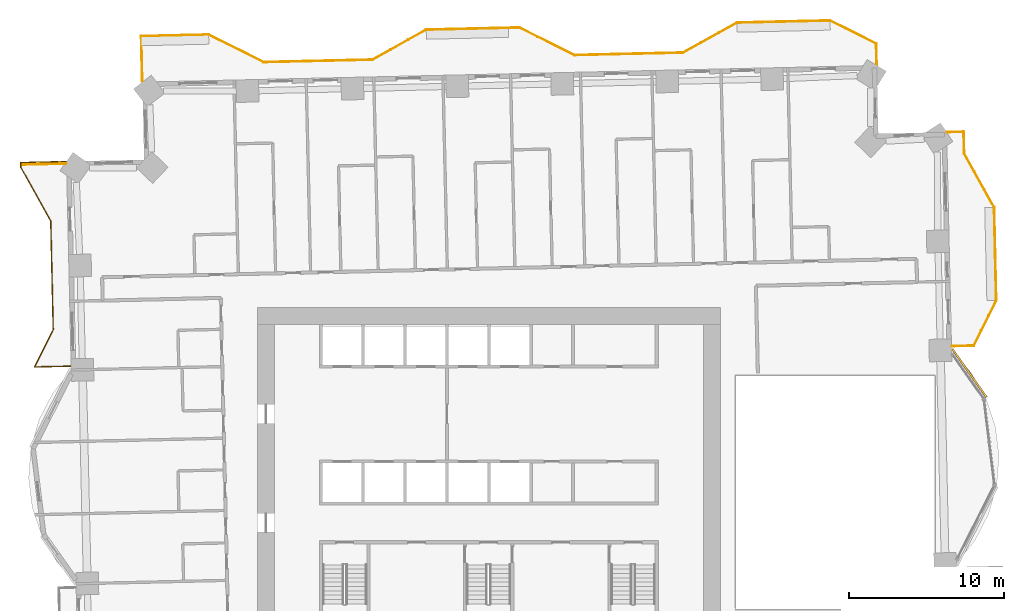
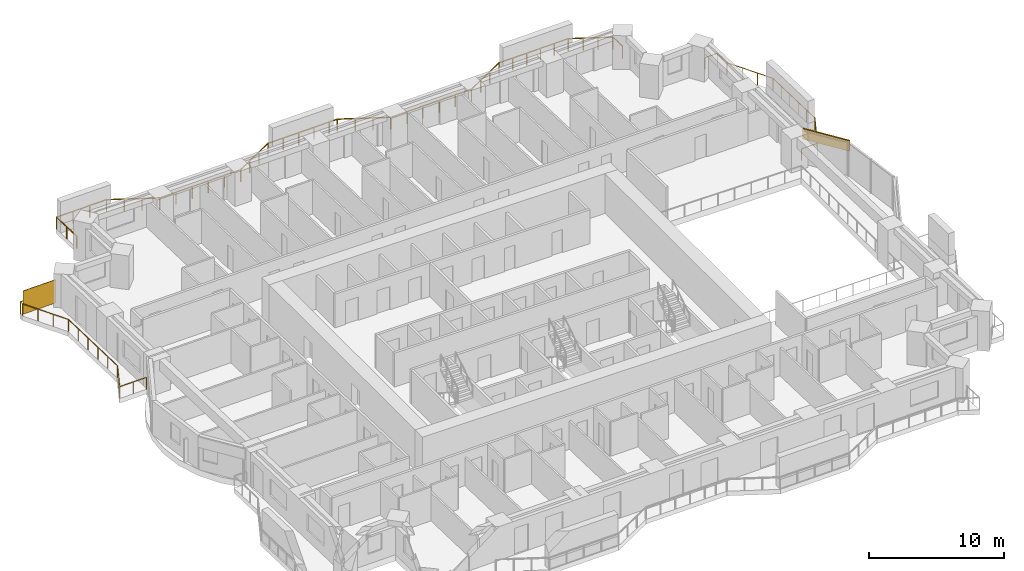
# One storey, part 17 of 17: 3 railings, 1 covering, 1 shading device.
"""IFC4 building model written with IfcOpenShell, lengths in metres."""

import ifcopenshell
import ifcopenshell.guid

model = None  # the IFC model being written
_history = None  # IfcOwnerHistory: only IFC2X3 demands one
_inside = {}  # id of a spatial element -> (the spatial element, [elements in it])
_under = {}  # id of a project, library or spatial element -> (it, [spatial elements below it])
_declared = {}  # id of a project -> (the project, [libraries it declares])
_typed = {}  # id of a type object -> (the type object, [elements of that type])
_made_of = {}  # id of a material, layer set ... -> (it, [elements and type objects made of it])


def new_model(schema):
    """Start an empty IFC model of exactly this schema.

    Asked for "IFC4X3", IfcOpenShell would pick the latest addendum, in which some entities
    have other attributes; the version numbers below select the first issue.
    IFC2X3 requires an IfcOwnerHistory on every rooted entity: one is made here for all.
    """
    global model, _history
    if schema == "IFC4X3":
        model = ifcopenshell.file(schema_version=(4, 3, 0, 0))
    else:
        model = ifcopenshell.file(schema=schema)
    _inside.clear()
    _under.clear()
    _declared.clear()
    _typed.clear()
    _made_of.clear()
    _history = None
    if model.schema == "IFC2X3":
        org = make("IfcOrganization", Name="unknown")
        user = make(
            "IfcPersonAndOrganization",
            ThePerson=make("IfcPerson", FamilyName="unknown"),
            TheOrganization=org,
        )
        app = make(
            "IfcApplication",
            ApplicationDeveloper=org,
            Version="unknown",
            ApplicationFullName="unknown",
            ApplicationIdentifier="unknown",
        )
        _history = make(
            "IfcOwnerHistory",
            OwningUser=user,
            OwningApplication=app,
            ChangeAction="ADDED",
            CreationDate=0,
        )
    return model


def make(cls, **values):
    """One entity of the class cls with the attributes given. An attribute that is None is left unset."""
    return model.create_entity(
        cls, **{name: value for name, value in values.items() if value is not None}
    )


def rooted(cls, **values):
    """An entity with a GlobalId (a new one), such as an element, a storey or a relation."""
    return make(cls, GlobalId=ifcopenshell.guid.new(), OwnerHistory=_history, **values)


def si_unit(unit_type, name, prefix=None):
    """IfcSIUnit, for example si_unit("LENGTHUNIT", "METRE", prefix="MILLI")."""
    return make("IfcSIUnit", UnitType=unit_type, Prefix=prefix, Name=name)


def assignment(units):
    """IfcUnitAssignment: the units of a project."""
    return None if units is None else make("IfcUnitAssignment", Units=units)


def point(xyz):
    """IfcCartesianPoint."""
    return None if xyz is None else make("IfcCartesianPoint", Coordinates=xyz)


def direction(xyz):
    """IfcDirection."""
    return None if xyz is None else make("IfcDirection", DirectionRatios=xyz)


def frame(location, z_axis=None, x_axis=None):
    """IfcAxis2Placement3D, a coordinate frame: its origin and axes. An axis left out is left unset."""
    return make(
        "IfcAxis2Placement3D",
        Location=point(location),
        Axis=direction(z_axis),
        RefDirection=direction(x_axis),
    )


def frame_2d(location, x_axis=None):
    """IfcAxis2Placement2D, a coordinate frame in the plane: its origin and x axis."""
    return make(
        "IfcAxis2Placement2D", Location=point(location), RefDirection=direction(x_axis)
    )


def origin():
    """The frame at (0, 0, 0) with its axes left unset."""
    return frame((0.0, 0.0, 0.0))


def origin_2d():
    """The frame at (0, 0) in the plane with its x axis left unset."""
    return frame_2d((0.0, 0.0))


def place(relative_to, where):
    """IfcLocalPlacement: puts the frame where relative to a parent placement (None: the world)."""
    return make(
        "IfcLocalPlacement", PlacementRelTo=relative_to, RelativePlacement=where
    )


def context(
    kind, dimensions, precision=None, world=None, true_north=None, identifier=None
):
    """IfcGeometricRepresentationContext, for example the 3D "Model" context."""
    return make(
        "IfcGeometricRepresentationContext",
        ContextIdentifier=identifier,
        ContextType=kind,
        CoordinateSpaceDimension=dimensions,
        Precision=precision,
        WorldCoordinateSystem=world,
        TrueNorth=true_north,
    )


def subcontext(parent, identifier, kind, view, scale=None):
    """IfcGeometricRepresentationSubContext, for example "Body" below "Model"."""
    return make(
        "IfcGeometricRepresentationSubContext",
        ContextIdentifier=identifier,
        ContextType=kind,
        ParentContext=parent,
        TargetScale=scale,
        TargetView=view,
    )


def project(units=None, contexts=None):
    """IfcProject with its units and contexts."""
    return rooted(
        "IfcProject",
        Name="project",
        RepresentationContexts=contexts,
        UnitsInContext=assignment(units),
    )


def spatial(cls, under=None, at=None, **own):
    """A site, building, storey or space (cls), placed at a placement, below another one or the project."""
    s = rooted(cls, ObjectPlacement=at, **own)
    if under is not None:
        _under.setdefault(under.id(), (under, []))[1].append(s)
    return s


def profile(cls, at=None, kind="AREA", **sizes):
    """A parametric profile (cls). Its sizes go by their IFC names, for example OverallWidth=200.0."""
    return make(cls, ProfileType=kind, Position=at, **sizes)


def rectangle(**sizes):
    """IfcRectangleProfileDef."""
    return profile("IfcRectangleProfileDef", **sizes)


def extrude(swept, where, along, depth):
    """IfcExtrudedAreaSolid: the profile swept, set in the frame where, extruded along a direction by depth."""
    return make(
        "IfcExtrudedAreaSolid",
        SweptArea=swept,
        Position=where,
        ExtrudedDirection=direction(along),
        Depth=depth,
    )


def shape(context_of_items, identifier, shape_type, items):
    """IfcShapeRepresentation: the items that make up one representation, for example the "Body"."""
    return make(
        "IfcShapeRepresentation",
        ContextOfItems=context_of_items,
        RepresentationIdentifier=identifier,
        RepresentationType=shape_type,
        Items=items,
    )


def material(Name=None, Category=None):
    """IfcMaterial."""
    return make("IfcMaterial", Name=Name, Category=Category)


def layer(
    of_material, thickness, ventilated=None, Name=None, Category=None, Priority=None
):
    """IfcMaterialLayer: one layer of a wall or slab, of a material (None: an air gap)."""
    return make(
        "IfcMaterialLayer",
        Material=of_material,
        LayerThickness=thickness,
        IsVentilated=ventilated,
        Name=Name,
        Category=Category,
        Priority=Priority,
    )


def layer_set(layers, Name=None):
    """IfcMaterialLayerSet."""
    return make("IfcMaterialLayerSet", MaterialLayers=layers, LayerSetName=Name)


def made_of(thing, what):
    """Note that an element or type object is made of a material, layer set ...; save() writes the relation."""
    if what is not None:
        _made_of.setdefault(what.id(), (what, []))[1].append(thing)
    return thing


def type_object(cls, material=None, **own):
    """A type object (cls), such as IfcWallType, which elements share."""
    return made_of(rooted(cls, **own), material)


def element(
    cls,
    number,
    at=None,
    inside=None,
    cuts=None,
    type_object=None,
    material=None,
    context=None,
    identifier="Body",
    shape_type=None,
    held_by="IfcProductDefinitionShape",
    body=None,
    shapes=None,
    **own,
):
    """One element of the class cls, such as IfcWall. Its Tag is "e" and its number.

    at: its placement. inside: the storey or other place that contains it. cuts: it is an
    opening in that element (IfcRelVoidsElement). A single representation is given by context,
    identifier, shape_type and body (its items); several are given by shapes. held_by: the class
    of the entity that holds the representations. save() writes the other relations.
    """
    e = rooted(cls, Tag="e%d" % number, ObjectPlacement=at, **own)
    if body is not None:
        shapes = [shape(context, identifier, shape_type, body)]
    if shapes is not None:
        e.Representation = make(held_by, Representations=shapes)
    if inside is not None:
        _inside.setdefault(inside.id(), (inside, []))[1].append(e)
    if cuts is not None:
        rooted(
            "IfcRelVoidsElement", RelatingBuildingElement=cuts, RelatedOpeningElement=e
        )
    if type_object is not None:
        _typed.setdefault(type_object.id(), (type_object, []))[1].append(e)
    return made_of(e, material)


def aggregate(whole, parts):
    """IfcRelAggregates: a whole, such as a stair, and the parts it consists of."""
    return rooted("IfcRelAggregates", RelatingObject=whole, RelatedObjects=parts)


def save(model, path):
    """Write the relations noted so far, then the file.

    IfcRelAggregates (storeys below a building ...), IfcRelContainedInSpatialStructure (elements
    in a storey), IfcRelDefinesByType, IfcRelAssociatesMaterial and IfcRelDeclares: one each for
    every whole, place, type object, material and project.
    """
    for whole, parts in _under.values():
        aggregate(whole, parts)
    for where, things in _inside.values():
        rooted(
            "IfcRelContainedInSpatialStructure",
            RelatedElements=things,
            RelatingStructure=where,
        )
    for kind, things in _typed.values():
        rooted("IfcRelDefinesByType", RelatedObjects=things, RelatingType=kind)
    for what, things in _made_of.values():
        rooted("IfcRelAssociatesMaterial", RelatedObjects=things, RelatingMaterial=what)
    for by, libraries in _declared.values():
        rooted("IfcRelDeclares", RelatingContext=by, RelatedDefinitions=libraries)
    model.write(path)


model = new_model("IFC4")

# Units and contexts
model_context = context("Model", 3, precision=1e-05, world=origin(), true_north=direction((0.0, 1.0)))
body_context = subcontext(model_context, "Body", "Model", "MODEL_VIEW")
ifc_project = project(units=[si_unit("LENGTHUNIT", "METRE"), si_unit("AREAUNIT", "SQUARE_METRE"), si_unit("VOLUMEUNIT", "CUBIC_METRE"), si_unit("PLANEANGLEUNIT", "RADIAN"), si_unit("MASSUNIT", "GRAM", prefix="KILO")], contexts=[model_context])

# Site, building, storey
site_placement = place(None, origin())
site = spatial("IfcSite", under=ifc_project, at=site_placement, CompositionType="ELEMENT")
building_placement = place(site_placement, origin())
building = spatial("IfcBuilding", under=site, at=building_placement, Name="Mangrove Gate Tower", CompositionType="ELEMENT")
storey_placement = place(building_placement, frame((0.0, 0.0, 82.89990234375)))
storey = spatial("IfcBuildingStorey", under=building, at=storey_placement, Name="L20", CompositionType="ELEMENT", Elevation=82.89990234375)

# Railings
ifc_material_1 = material(Name="Stainless steel grade 316 with laminated glass infill", Category="steel")
railing_type = type_object("IfcRailingType", Name="Balcony guard 1100", PredefinedType="GUARDRAIL", material=ifc_material_1)
railing_1_placement = place(storey_placement, frame((29.806884765625, 9.4169921875, 0.0)))
element("IfcRailing", 1, at=railing_1_placement, inside=storey, type_object=railing_type, Name="GUARD L20 E2", PredefinedType="GUARDRAIL", context=body_context, shape_type="SweptSolid", body=[
    extrude(rectangle(XDim=0.048095703125, YDim=0.048095703125, at=origin_2d()), frame((0.0, 0.0, 1.076171875), z_axis=(0.999735451499, 0.023000587311, 0.0), x_axis=(-0.023000587311, 0.999735451499, 0.0)), (0.0, 0.0, 1.0), 1.390625),
    extrude(rectangle(XDim=0.048095703125, YDim=0.048095703125, at=origin_2d()), frame((1.39013671875, 0.031982421875, 1.076171875), z_axis=(0.447183557729, 0.894442209255, 0.0), x_axis=(-0.894442209255, 0.447183557729, 0.0)), (0.0, 0.0, 1.0), 3.251220703125),
    extrude(rectangle(XDim=0.048095703125, YDim=0.048095703125, at=origin_2d()), frame((2.843994140625, 2.93994140625, 1.076171875), z_axis=(-0.022662255828, 0.999743178102, 0.0), x_axis=(-0.999743178102, -0.022662255828, 0.0)), (0.0, 0.0, 1.0), 6.00048828125),
    extrude(rectangle(XDim=0.048095703125, YDim=0.048095703125, at=origin_2d()), frame((2.7080078125, 8.93896484375, 1.076171875), z_axis=(-0.48726008209, 0.87325689943, 0.0), x_axis=(-0.87325689943, -0.48726008209, 0.0)), (0.0, 0.0, 1.0), 3.958740234375),
    extrude(rectangle(XDim=0.048095703125, YDim=0.048095703125, at=origin_2d()), frame((0.779052734375, 12.39599609375, 1.076171875), z_axis=(-0.022856156732, 0.999738763928, 0.0), x_axis=(-0.999738763928, -0.022856156732, 0.0)), (0.0, 0.0, 1.0), 1.399169921875),
    extrude(rectangle(XDim=0.048095703125, YDim=0.048095703125, at=origin_2d()), frame((0.7470703125, 13.794921875, 1.076171875), z_axis=(-0.999744802133, -0.022590498181, 0.0), x_axis=(0.022590498181, -0.999744802133, 0.0)), (0.0, 0.0, 1.0), 1.05908203125),
    extrude(rectangle(XDim=0.0419921875, YDim=0.0419921875, at=origin_2d()), origin(), (0.0, 0.0, 1.0), 1.052001953125),
    extrude(rectangle(XDim=0.0419921875, YDim=0.0419921875, at=origin_2d()), frame((1.39013671875, 0.031982421875, 0.0)), (0.0, 0.0, 1.0), 1.052001953125),
    extrude(rectangle(XDim=0.0419921875, YDim=0.0419921875, at=origin_2d()), frame((1.874755859375, 1.001220703125, 0.0)), (0.0, 0.0, 1.0), 1.052001953125),
    extrude(rectangle(XDim=0.0419921875, YDim=0.0419921875, at=origin_2d()), frame((2.359375, 1.970703125, 0.0)), (0.0, 0.0, 1.0), 1.052001953125),
    extrude(rectangle(XDim=0.0419921875, YDim=0.0419921875, at=origin_2d()), frame((2.843994140625, 2.93994140625, 0.0)), (0.0, 0.0, 1.0), 1.052001953125),
    extrude(rectangle(XDim=0.0419921875, YDim=0.0419921875, at=origin_2d()), frame((2.81689453125, 4.1396484375, 0.0)), (0.0, 0.0, 1.0), 1.052001953125),
    extrude(rectangle(XDim=0.0419921875, YDim=0.0419921875, at=origin_2d()), frame((2.78955078125, 5.339599609375, 0.0)), (0.0, 0.0, 1.0), 1.052001953125),
    extrude(rectangle(XDim=0.0419921875, YDim=0.0419921875, at=origin_2d()), frame((2.762451171875, 6.539306640625, 0.0)), (0.0, 0.0, 1.0), 1.052001953125),
    extrude(rectangle(XDim=0.0419921875, YDim=0.0419921875, at=origin_2d()), frame((2.735107421875, 7.7392578125, 0.0)), (0.0, 0.0, 1.0), 1.052001953125),
    extrude(rectangle(XDim=0.0419921875, YDim=0.0419921875, at=origin_2d()), frame((2.7080078125, 8.93896484375, 0.0)), (0.0, 0.0, 1.0), 1.052001953125),
    extrude(rectangle(XDim=0.0419921875, YDim=0.0419921875, at=origin_2d()), frame((2.06494140625, 10.09130859375, 0.0)), (0.0, 0.0, 1.0), 1.052001953125),
    extrude(rectangle(XDim=0.0419921875, YDim=0.0419921875, at=origin_2d()), frame((1.422119140625, 11.24365234375, 0.0)), (0.0, 0.0, 1.0), 1.052001953125),
    extrude(rectangle(XDim=0.0419921875, YDim=0.0419921875, at=origin_2d()), frame((0.779052734375, 12.39599609375, 0.0)), (0.0, 0.0, 1.0), 1.052001953125),
    extrude(rectangle(XDim=0.0419921875, YDim=0.0419921875, at=origin_2d()), frame((0.7470703125, 13.794921875, 0.0)), (0.0, 0.0, 1.0), 1.052001953125),
    extrude(rectangle(XDim=0.0419921875, YDim=0.0419921875, at=origin_2d()), frame((-0.311767578125, 13.77099609375, 0.0)), (0.0, 0.0, 1.0), 1.052001953125),
])
railing_2_placement = place(storey_placement, frame((24.955078125, 27.527099609375, 0.0)))
element("IfcRailing", 2, at=railing_2_placement, inside=storey, type_object=railing_type, Name="GUARD L20 N1", PredefinedType="GUARDRAIL", context=body_context, shape_type="SweptSolid", body=[
    extrude(rectangle(XDim=0.048095703125, YDim=0.048095703125, at=origin_2d()), frame((0.0, 0.0, 1.076171875), z_axis=(-0.022843983151, 0.999739042167, 0.0), x_axis=(-0.999739042167, -0.022843983151, 0.0)), (0.0, 0.0, 1.0), 1.357177734375),
    extrude(rectangle(XDim=0.048095703125, YDim=0.048095703125, at=origin_2d()), frame((-0.031005859375, 1.35693359375, 1.076171875), z_axis=(-0.894441895685, 0.44718418492, 0.0), x_axis=(-0.44718418492, -0.894441895685, 0.0)), (0.0, 0.0, 1.0), 3.320556640625),
    extrude(rectangle(XDim=0.048095703125, YDim=0.048095703125, at=origin_2d()), frame((-3.0009765625, 2.841796875, 1.076171875), z_axis=(-0.999743178102, -0.022662255828, 0.0), x_axis=(0.022662255828, -0.999743178102, 0.0)), (0.0, 0.0, 1.0), 6.00048828125),
    extrude(rectangle(XDim=0.048095703125, YDim=0.048095703125, at=origin_2d()), frame((-9.0, 2.705810546875, 1.076171875), z_axis=(-0.87325689943, -0.48726008209, 0.0), x_axis=(0.48726008209, -0.87325689943, 0.0)), (0.0, 0.0, 1.0), 3.958740234375),
    extrude(rectangle(XDim=0.048095703125, YDim=0.048095703125, at=origin_2d()), frame((-12.45703125, 0.77685546875, 1.076171875), z_axis=(-0.999742195543, -0.022705559911, 0.0), x_axis=(0.022705559911, -0.999742195543, 0.0)), (0.0, 0.0, 1.0), 6.999755859375),
    extrude(rectangle(XDim=0.048095703125, YDim=0.048095703125, at=origin_2d()), frame((-19.455078125, 0.617919921875, 1.076171875), z_axis=(-0.894476522376, 0.447114919141, 0.0), x_axis=(-0.447114919141, -0.894476522376, 0.0)), (0.0, 0.0, 1.0), 3.958740234375),
    extrude(rectangle(XDim=0.048095703125, YDim=0.048095703125, at=origin_2d()), frame((-22.99609375, 2.387939453125, 1.076171875), z_axis=(-0.999766253184, -0.02162033753, 0.0), x_axis=(0.02162033753, -0.999766253184, 0.0)), (0.0, 0.0, 1.0), 0.7001953125),
    extrude(rectangle(XDim=0.048095703125, YDim=0.048095703125, at=origin_2d()), frame((-23.696044921875, 2.372802734375, 1.076171875), z_axis=(-0.999740049023, -0.022799876723, 0.0), x_axis=(0.022799876723, -0.999740049023, 0.0)), (0.0, 0.0, 1.0), 5.300537109375),
    extrude(rectangle(XDim=0.048095703125, YDim=0.048095703125, at=origin_2d()), frame((-28.9951171875, 2.251953125, 1.076171875), z_axis=(-0.87325689943, -0.48726008209, 0.0), x_axis=(0.48726008209, -0.87325689943, 0.0)), (0.0, 0.0, 1.0), 3.958740234375),
    extrude(rectangle(XDim=0.048095703125, YDim=0.048095703125, at=origin_2d()), frame((-32.4521484375, 0.322998046875, 1.076171875), z_axis=(-0.999744565238, -0.022600979566, 0.0), x_axis=(0.022600979566, -0.999744565238, 0.0)), (0.0, 0.0, 1.0), 6.999755859375),
    extrude(rectangle(XDim=0.048095703125, YDim=0.048095703125, at=origin_2d()), frame((-39.4501953125, 0.164794921875, 1.076171875), z_axis=(-0.894464192593, 0.447139584658, 0.0), x_axis=(-0.447139584658, -0.894464192593, 0.0)), (0.0, 0.0, 1.0), 3.95849609375),
    extrude(rectangle(XDim=0.048095703125, YDim=0.048095703125, at=origin_2d()), frame((-42.990966796875, 1.934814453125, 1.076171875), z_axis=(-0.999740001129, -0.022801976711, 0.0), x_axis=(0.022801976711, -0.999740001129, 0.0)), (0.0, 0.0, 1.0), 4.33642578125),
    extrude(rectangle(XDim=0.048095703125, YDim=0.048095703125, at=origin_2d()), frame((-47.326171875, 1.8359375, 1.076171875), z_axis=(0.022738559105, -0.99974144554, 0.0), x_axis=(0.99974144554, 0.022738559105, 0.0)), (0.0, 0.0, 1.0), 2.90966796875),
    extrude(rectangle(XDim=0.0419921875, YDim=0.0419921875, at=origin_2d()), origin(), (0.0, 0.0, 1.0), 1.052001953125),
    extrude(rectangle(XDim=0.0419921875, YDim=0.0419921875, at=origin_2d()), frame((-0.031005859375, 1.35693359375, 0.0)), (0.0, 0.0, 1.0), 1.052001953125),
    extrude(rectangle(XDim=0.0419921875, YDim=0.0419921875, at=origin_2d()), frame((-1.02099609375, 1.851806640625, 0.0)), (0.0, 0.0, 1.0), 1.052001953125),
    extrude(rectangle(XDim=0.0419921875, YDim=0.0419921875, at=origin_2d()), frame((-2.010986328125, 2.346923828125, 0.0)), (0.0, 0.0, 1.0), 1.052001953125),
    extrude(rectangle(XDim=0.0419921875, YDim=0.0419921875, at=origin_2d()), frame((-3.0009765625, 2.841796875, 0.0)), (0.0, 0.0, 1.0), 1.052001953125),
    extrude(rectangle(XDim=0.0419921875, YDim=0.0419921875, at=origin_2d()), frame((-4.20068359375, 2.814697265625, 0.0)), (0.0, 0.0, 1.0), 1.052001953125),
    extrude(rectangle(XDim=0.0419921875, YDim=0.0419921875, at=origin_2d()), frame((-5.400634765625, 2.787353515625, 0.0)), (0.0, 0.0, 1.0), 1.052001953125),
    extrude(rectangle(XDim=0.0419921875, YDim=0.0419921875, at=origin_2d()), frame((-6.600341796875, 2.76025390625, 0.0)), (0.0, 0.0, 1.0), 1.052001953125),
    extrude(rectangle(XDim=0.0419921875, YDim=0.0419921875, at=origin_2d()), frame((-7.80029296875, 2.73291015625, 0.0)), (0.0, 0.0, 1.0), 1.052001953125),
    extrude(rectangle(XDim=0.0419921875, YDim=0.0419921875, at=origin_2d()), frame((-9.0, 2.705810546875, 0.0)), (0.0, 0.0, 1.0), 1.052001953125),
    extrude(rectangle(XDim=0.0419921875, YDim=0.0419921875, at=origin_2d()), frame((-10.15234375, 2.062744140625, 0.0)), (0.0, 0.0, 1.0), 1.052001953125),
    extrude(rectangle(XDim=0.0419921875, YDim=0.0419921875, at=origin_2d()), frame((-11.3046875, 1.419921875, 0.0)), (0.0, 0.0, 1.0), 1.052001953125),
    extrude(rectangle(XDim=0.0419921875, YDim=0.0419921875, at=origin_2d()), frame((-12.45703125, 0.77685546875, 0.0)), (0.0, 0.0, 1.0), 1.052001953125),
    extrude(rectangle(XDim=0.0419921875, YDim=0.0419921875, at=origin_2d()), frame((-13.856689453125, 0.7451171875, 0.0)), (0.0, 0.0, 1.0), 1.052001953125),
    extrude(rectangle(XDim=0.0419921875, YDim=0.0419921875, at=origin_2d()), frame((-15.25634765625, 0.71337890625, 0.0)), (0.0, 0.0, 1.0), 1.052001953125),
    extrude(rectangle(XDim=0.0419921875, YDim=0.0419921875, at=origin_2d()), frame((-16.65576171875, 0.681396484375, 0.0)), (0.0, 0.0, 1.0), 1.052001953125),
    extrude(rectangle(XDim=0.0419921875, YDim=0.0419921875, at=origin_2d()), frame((-18.055419921875, 0.649658203125, 0.0)), (0.0, 0.0, 1.0), 1.052001953125),
    extrude(rectangle(XDim=0.0419921875, YDim=0.0419921875, at=origin_2d()), frame((-19.455078125, 0.617919921875, 0.0)), (0.0, 0.0, 1.0), 1.052001953125),
    extrude(rectangle(XDim=0.0419921875, YDim=0.0419921875, at=origin_2d()), frame((-20.635498046875, 1.2080078125, 0.0)), (0.0, 0.0, 1.0), 1.052001953125),
    extrude(rectangle(XDim=0.0419921875, YDim=0.0419921875, at=origin_2d()), frame((-21.815673828125, 1.7978515625, 0.0)), (0.0, 0.0, 1.0), 1.052001953125),
    extrude(rectangle(XDim=0.0419921875, YDim=0.0419921875, at=origin_2d()), frame((-22.99609375, 2.387939453125, 0.0)), (0.0, 0.0, 1.0), 1.052001953125),
    extrude(rectangle(XDim=0.0419921875, YDim=0.0419921875, at=origin_2d()), frame((-23.696044921875, 2.372802734375, 0.0)), (0.0, 0.0, 1.0), 1.052001953125),
    extrude(rectangle(XDim=0.0419921875, YDim=0.0419921875, at=origin_2d()), frame((-25.020751953125, 2.342529296875, 0.0)), (0.0, 0.0, 1.0), 1.052001953125),
    extrude(rectangle(XDim=0.0419921875, YDim=0.0419921875, at=origin_2d()), frame((-26.345703125, 2.3125, 0.0)), (0.0, 0.0, 1.0), 1.052001953125),
    extrude(rectangle(XDim=0.0419921875, YDim=0.0419921875, at=origin_2d()), frame((-27.67041015625, 2.2822265625, 0.0)), (0.0, 0.0, 1.0), 1.052001953125),
    extrude(rectangle(XDim=0.0419921875, YDim=0.0419921875, at=origin_2d()), frame((-28.9951171875, 2.251953125, 0.0)), (0.0, 0.0, 1.0), 1.052001953125),
    extrude(rectangle(XDim=0.0419921875, YDim=0.0419921875, at=origin_2d()), frame((-30.1474609375, 1.60888671875, 0.0)), (0.0, 0.0, 1.0), 1.052001953125),
    extrude(rectangle(XDim=0.0419921875, YDim=0.0419921875, at=origin_2d()), frame((-31.2998046875, 0.966064453125, 0.0)), (0.0, 0.0, 1.0), 1.052001953125),
    extrude(rectangle(XDim=0.0419921875, YDim=0.0419921875, at=origin_2d()), frame((-32.4521484375, 0.322998046875, 0.0)), (0.0, 0.0, 1.0), 1.052001953125),
    extrude(rectangle(XDim=0.0419921875, YDim=0.0419921875, at=origin_2d()), frame((-33.851806640625, 0.291259765625, 0.0)), (0.0, 0.0, 1.0), 1.052001953125),
    extrude(rectangle(XDim=0.0419921875, YDim=0.0419921875, at=origin_2d()), frame((-35.25146484375, 0.259765625, 0.0)), (0.0, 0.0, 1.0), 1.052001953125),
    extrude(rectangle(XDim=0.0419921875, YDim=0.0419921875, at=origin_2d()), frame((-36.65087890625, 0.22802734375, 0.0)), (0.0, 0.0, 1.0), 1.052001953125),
    extrude(rectangle(XDim=0.0419921875, YDim=0.0419921875, at=origin_2d()), frame((-38.050537109375, 0.196533203125, 0.0)), (0.0, 0.0, 1.0), 1.052001953125),
    extrude(rectangle(XDim=0.0419921875, YDim=0.0419921875, at=origin_2d()), frame((-39.4501953125, 0.164794921875, 0.0)), (0.0, 0.0, 1.0), 1.052001953125),
    extrude(rectangle(XDim=0.0419921875, YDim=0.0419921875, at=origin_2d()), frame((-40.63037109375, 0.7548828125, 0.0)), (0.0, 0.0, 1.0), 1.052001953125),
    extrude(rectangle(XDim=0.0419921875, YDim=0.0419921875, at=origin_2d()), frame((-41.810791015625, 1.3447265625, 0.0)), (0.0, 0.0, 1.0), 1.052001953125),
    extrude(rectangle(XDim=0.0419921875, YDim=0.0419921875, at=origin_2d()), frame((-42.990966796875, 1.934814453125, 0.0)), (0.0, 0.0, 1.0), 1.052001953125),
    extrude(rectangle(XDim=0.0419921875, YDim=0.0419921875, at=origin_2d()), frame((-44.43603515625, 1.90185546875, 0.0)), (0.0, 0.0, 1.0), 1.052001953125),
    extrude(rectangle(XDim=0.0419921875, YDim=0.0419921875, at=origin_2d()), frame((-45.881103515625, 1.868896484375, 0.0)), (0.0, 0.0, 1.0), 1.052001953125),
    extrude(rectangle(XDim=0.0419921875, YDim=0.0419921875, at=origin_2d()), frame((-47.326171875, 1.8359375, 0.0)), (0.0, 0.0, 1.0), 1.052001953125),
    extrude(rectangle(XDim=0.0419921875, YDim=0.0419921875, at=origin_2d()), frame((-47.29296875, 0.38134765625, 0.0)), (0.0, 0.0, 1.0), 1.052001953125),
    extrude(rectangle(XDim=0.0419921875, YDim=0.0419921875, at=origin_2d()), frame((-47.260009765625, -1.072998046875, 0.0)), (0.0, 0.0, 1.0), 1.052001953125),
])
railing_3_placement = place(storey_placement, frame((-27.22900390625, 21.301025390625, 0.0)))
element("IfcRailing", 3, at=railing_3_placement, inside=storey, type_object=railing_type, Name="GUARD L20 W1", PredefinedType="GUARDRAIL", context=body_context, shape_type="SweptSolid", body=[
    extrude(rectangle(XDim=0.048095703125, YDim=0.048095703125, at=origin_2d()), frame((0.0, 0.0, 1.076171875), z_axis=(-0.999743349437, -0.022654696127, 0.0), x_axis=(0.022654696127, -0.999743349437, 0.0)), (0.0, 0.0, 1.0), 2.90966796875),
    extrude(rectangle(XDim=0.048095703125, YDim=0.048095703125, at=origin_2d()), frame((-2.908935546875, -0.06591796875, 1.076171875), z_axis=(0.019524349196, -0.999809381727, 0.0), x_axis=(0.999809381727, 0.019524349196, 0.0)), (0.0, 0.0, 1.0), 0.300048828125),
    extrude(rectangle(XDim=0.048095703125, YDim=0.048095703125, at=origin_2d()), frame((-2.903076171875, -0.365966796875, 1.076171875), z_axis=(0.487307108654, -0.873230657876, 0.0), x_axis=(0.873230657876, 0.487307108654, 0.0)), (0.0, 0.0, 1.0), 3.958984375),
    extrude(rectangle(XDim=0.048095703125, YDim=0.048095703125, at=origin_2d()), frame((-0.973876953125, -3.822998046875, 1.076171875), z_axis=(0.022705559911, -0.999742195543, 0.0), x_axis=(0.999742195543, 0.022705559911, 0.0)), (0.0, 0.0, 1.0), 6.999755859375),
    extrude(rectangle(XDim=0.048095703125, YDim=0.048095703125, at=origin_2d()), frame((-0.81494140625, -10.821044921875, 1.076171875), z_axis=(-0.447104542288, -0.894481709296, 0.0), x_axis=(0.894481709296, -0.447104542288, 0.0)), (0.0, 0.0, 1.0), 2.6865234375),
    extrude(rectangle(XDim=0.048095703125, YDim=0.048095703125, at=origin_2d()), frame((-2.01611328125, -13.22412109375, 1.076171875), z_axis=(0.9997382857, 0.022877065063, 0.0), x_axis=(-0.022877065063, 0.9997382857, 0.0)), (0.0, 0.0, 1.0), 2.315673828125),
    extrude(rectangle(XDim=0.0419921875, YDim=0.0419921875, at=origin_2d()), origin(), (0.0, 0.0, 1.0), 1.052001953125),
    extrude(rectangle(XDim=0.0419921875, YDim=0.0419921875, at=origin_2d()), frame((-1.45458984375, -0.032958984375, 0.0)), (0.0, 0.0, 1.0), 1.052001953125),
    extrude(rectangle(XDim=0.0419921875, YDim=0.0419921875, at=origin_2d()), frame((-2.908935546875, -0.06591796875, 0.0)), (0.0, 0.0, 1.0), 1.052001953125),
    extrude(rectangle(XDim=0.0419921875, YDim=0.0419921875, at=origin_2d()), frame((-2.903076171875, -0.365966796875, 0.0)), (0.0, 0.0, 1.0), 1.052001953125),
    extrude(rectangle(XDim=0.0419921875, YDim=0.0419921875, at=origin_2d()), frame((-2.260009765625, -1.518310546875, 0.0)), (0.0, 0.0, 1.0), 1.052001953125),
    extrude(rectangle(XDim=0.0419921875, YDim=0.0419921875, at=origin_2d()), frame((-1.616943359375, -2.670654296875, 0.0)), (0.0, 0.0, 1.0), 1.052001953125),
    extrude(rectangle(XDim=0.0419921875, YDim=0.0419921875, at=origin_2d()), frame((-0.973876953125, -3.822998046875, 0.0)), (0.0, 0.0, 1.0), 1.052001953125),
    extrude(rectangle(XDim=0.0419921875, YDim=0.0419921875, at=origin_2d()), frame((-0.942138671875, -5.22265625, 0.0)), (0.0, 0.0, 1.0), 1.052001953125),
    extrude(rectangle(XDim=0.0419921875, YDim=0.0419921875, at=origin_2d()), frame((-0.910400390625, -6.622314453125, 0.0)), (0.0, 0.0, 1.0), 1.052001953125),
    extrude(rectangle(XDim=0.0419921875, YDim=0.0419921875, at=origin_2d()), frame((-0.87841796875, -8.021728515625, 0.0)), (0.0, 0.0, 1.0), 1.052001953125),
    extrude(rectangle(XDim=0.0419921875, YDim=0.0419921875, at=origin_2d()), frame((-0.8466796875, -9.42138671875, 0.0)), (0.0, 0.0, 1.0), 1.052001953125),
    extrude(rectangle(XDim=0.0419921875, YDim=0.0419921875, at=origin_2d()), frame((-0.81494140625, -10.821044921875, 0.0)), (0.0, 0.0, 1.0), 1.052001953125),
    extrude(rectangle(XDim=0.0419921875, YDim=0.0419921875, at=origin_2d()), frame((-1.41552734375, -12.0224609375, 0.0)), (0.0, 0.0, 1.0), 1.052001953125),
    extrude(rectangle(XDim=0.0419921875, YDim=0.0419921875, at=origin_2d()), frame((-2.01611328125, -13.22412109375, 0.0)), (0.0, 0.0, 1.0), 1.052001953125),
    extrude(rectangle(XDim=0.0419921875, YDim=0.0419921875, at=origin_2d()), frame((-0.8583984375, -13.19775390625, 0.0)), (0.0, 0.0, 1.0), 1.052001953125),
    extrude(rectangle(XDim=0.0419921875, YDim=0.0419921875, at=origin_2d()), frame((0.299072265625, -13.171142578125, 0.0)), (0.0, 0.0, 1.0), 1.052001953125),
])

# Shading device
ifc_material_2 = material(Name="Timber slat screen in teak", Category="wood")
shading_device_type = type_object("IfcShadingDeviceType", Name="Balcony screen 2100", PredefinedType="USERDEFINED", material=ifc_material_2)
shading_device_placement = place(storey_placement, frame((-28.60009765625, 21.1298828125, 0.0), z_axis=(0.0, 0.0, 1.0), x_axis=(-0.999741420046, -0.022739679942, 0.0)))
element("IfcShadingDevice", 4, at=shading_device_placement, inside=storey, type_object=shading_device_type, Name="SCREEN L20 W0", ObjectType="SCREEN", PredefinedType="USERDEFINED", context=body_context, shape_type="SweptSolid", body=[
    extrude(rectangle(XDim=2.7900390625, YDim=0.050048828125, at=origin_2d()), origin(), (0.0, 0.0, 1.0), 2.10009765625),
])

# Covering
ifc_material_3 = material(Name="Limestone", Category="masonry")
ifc_layer_1 = layer(ifc_material_3, 0.0400390625, Name="Limestone cladding")
ifc_material_4 = material(Name="Stainless steel anchors and cavity", Category="steel")
ifc_layer_2 = layer(ifc_material_4, 0.080078125, Name="Fixing cavity")
ifc_layer_set = layer_set([ifc_layer_1, ifc_layer_2], Name="Joint fascia cladding 120")
covering_type = type_object("IfcCoveringType", Name="Joint fascia cladding 120", PredefinedType="CLADDING", material=ifc_layer_set)
covering_placement = place(storey_placement, frame((32.02294921875, 6.131103515625, 2.10009765625), z_axis=(0.0, 0.0, 1.0), x_axis=(-0.578168098379, 0.815917673553, 0.0)))
element("IfcCovering", 5, at=covering_placement, inside=storey, type_object=covering_type, Name="STONE FASCIA L20 E1.L2", PredefinedType="CLADDING", context=body_context, shape_type="SweptSolid", body=[
    extrude(rectangle(XDim=3.819091796875, YDim=0.1201171875, at=frame_2d((1.90966796875, 0.0))), origin(), (0.0, 0.0, 1.0), 0.949951171875),
])

save(model, "model.ifc")
